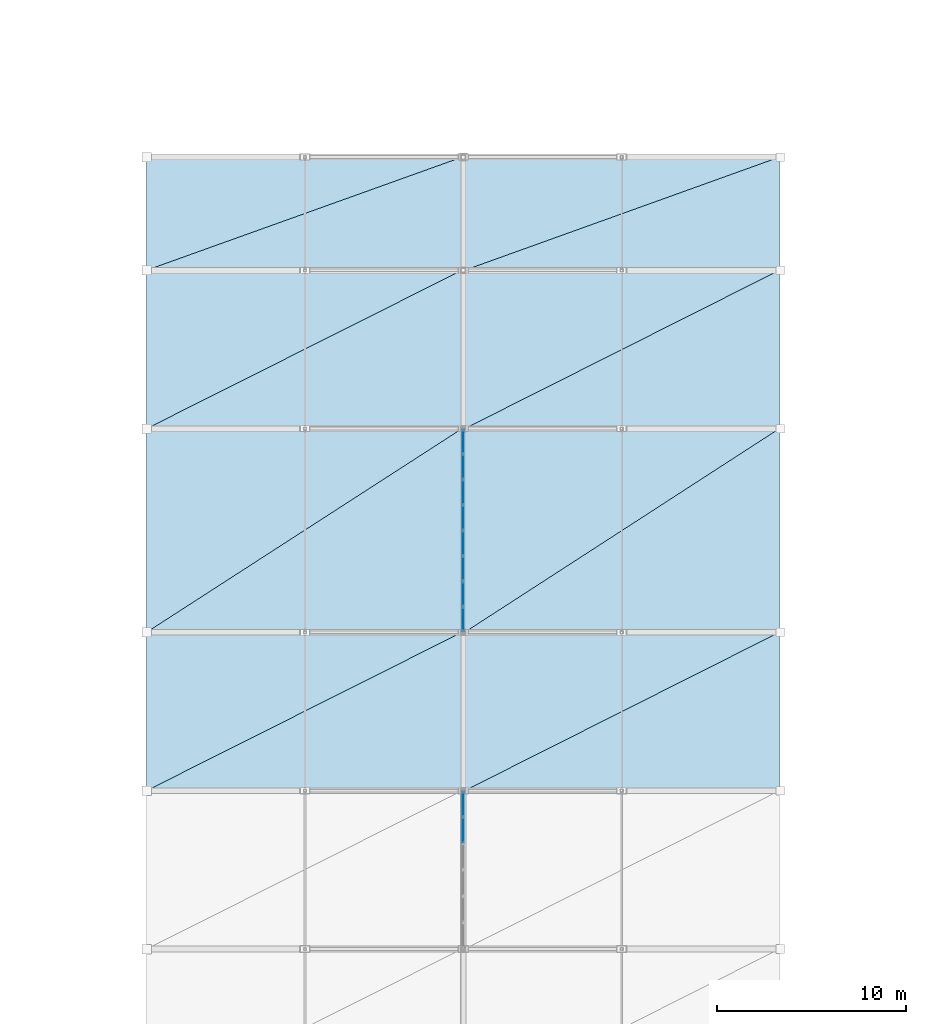
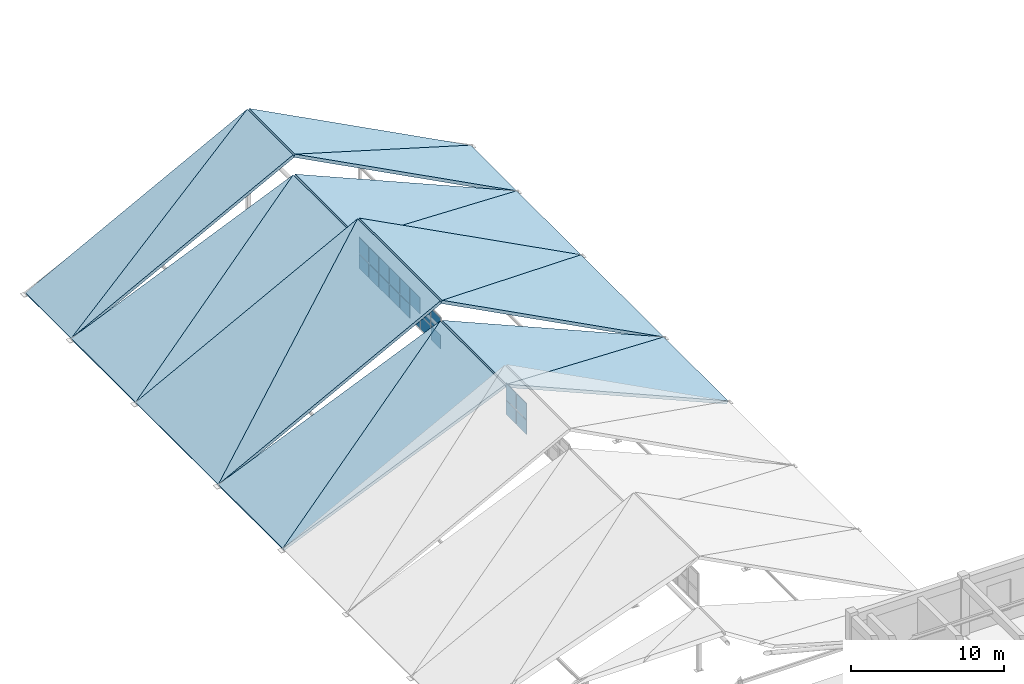
# One storey, part 57 of 76: 20 plates, 16 slabs, 2 elements without a shape of their own.
"""IFC4 building model written with IfcOpenShell, lengths in metres."""

from ifc_helpers import new_model, si_unit, direction, frame, origin, origin_2d, place, context, subcontext, project, spatial, polyline, rectangle, outline, extrude, material, layer, layer_set, type_object, element, aggregate, save


model = new_model("IFC4")

# Units and contexts
model_context = context("Model", 3, precision=1e-05, world=origin(), true_north=direction((0.0, 1.0)))
body_context = subcontext(model_context, "Body", "Model", "MODEL_VIEW")
ifc_project = project(units=[si_unit("LENGTHUNIT", "METRE"), si_unit("AREAUNIT", "SQUARE_METRE"), si_unit("VOLUMEUNIT", "CUBIC_METRE"), si_unit("PLANEANGLEUNIT", "RADIAN"), si_unit("MASSUNIT", "GRAM", prefix="KILO")], contexts=[model_context])

# Site, building, storey
site_placement = place(None, origin())
site = spatial("IfcSite", under=ifc_project, at=site_placement, CompositionType="ELEMENT")
building_placement = place(site_placement, origin())
building = spatial("IfcBuilding", under=site, at=building_placement, Name="Krzemoval Escarpment Law Courts", CompositionType="ELEMENT")
storey_placement = place(building_placement, frame((0.0, 0.0, 20.39990234375)))
storey = spatial("IfcBuildingStorey", under=building, at=storey_placement, Name="L04", CompositionType="ELEMENT", Elevation=20.39990234375)

# Curtain wall, plates
ifc_material_1 = material(Name="Aluminium 6063-T6", Category="aluminium")
ifc_layer_1 = layer(ifc_material_1, 0.199951171875)
ifc_layer_set_1 = layer_set([ifc_layer_1], Name="Aluminium 6063-T6")
curtain_wall_type = type_object("IfcCurtainWallType", Name="CW-CLER-2800", PredefinedType="USERDEFINED", material=ifc_layer_set_1)
curtain_wall_1_placement = place(storey_placement, origin())
curtain_wall_1 = element("IfcCurtainWall", 1, at=curtain_wall_1_placement, inside=storey, type_object=curtain_wall_type, Name="Clerestory Curtain Wall CW-CLER-V4-02", ObjectType="UNITISED_CURTAIN_WALL", PredefinedType="USERDEFINED")
ifc_material_2 = material(Name="Triple Glazing IGU", Category="glass")
ifc_layer_2 = layer(ifc_material_2, 0.0419921875)
ifc_layer_set_2 = layer_set([ifc_layer_2], Name="Triple Glazing IGU")
plate_type = type_object("IfcPlateType", Name="CWP-GLZ-42", PredefinedType="CURTAIN_PANEL", material=ifc_layer_set_2)
plate_1_placement = place(storey_placement, frame((25.199951171875, 63.89990234375, 4.864990234375), z_axis=(0.0, 0.0, 1.0), x_axis=(0.0, 1.0, 0.0)))
plate_1 = element("IfcPlate", 2, at=plate_1_placement, type_object=plate_type, Name="CW-CLER-V4-02 panel 5.1", PredefinedType="CURTAIN_PANEL", context=body_context, shape_type="SweptSolid", body=[
    extrude(rectangle(XDim=1.3349609375, YDim=0.0419921875, at=origin_2d()), origin(), (0.0, 0.0, 1.0), 1.1025390625),
])
plate_2_placement = place(storey_placement, frame((25.199951171875, 63.89990234375, 6.03271484375), z_axis=(0.0, 0.0, 1.0), x_axis=(0.0, 1.0, 0.0)))
plate_2 = element("IfcPlate", 3, at=plate_2_placement, type_object=plate_type, Name="CW-CLER-V4-02 panel 5.2", PredefinedType="CURTAIN_PANEL", context=body_context, shape_type="SweptSolid", body=[
    extrude(rectangle(XDim=1.3349609375, YDim=0.0419921875, at=origin_2d()), origin(), (0.0, 0.0, 1.0), 1.302490234375),
])
plate_3_placement = place(storey_placement, frame((25.199951171875, 65.28369140625, 4.864990234375), z_axis=(0.0, 0.0, 1.0), x_axis=(0.0, 1.0, 0.0)))
plate_3 = element("IfcPlate", 4, at=plate_3_placement, type_object=plate_type, Name="CW-CLER-V4-02 panel 6.1", PredefinedType="CURTAIN_PANEL", context=body_context, shape_type="SweptSolid", body=[
    extrude(rectangle(XDim=1.302490234375, YDim=0.0419921875, at=origin_2d()), origin(), (0.0, 0.0, 1.0), 1.1025390625),
])
plate_4_placement = place(storey_placement, frame((25.199951171875, 65.28369140625, 6.03271484375), z_axis=(0.0, 0.0, 1.0), x_axis=(0.0, 1.0, 0.0)))
plate_4 = element("IfcPlate", 5, at=plate_4_placement, type_object=plate_type, Name="CW-CLER-V4-02 panel 6.2", PredefinedType="CURTAIN_PANEL", context=body_context, shape_type="SweptSolid", body=[
    extrude(rectangle(XDim=1.302490234375, YDim=0.0419921875, at=origin_2d()), origin(), (0.0, 0.0, 1.0), 1.302490234375),
])
aggregate(curtain_wall_1, [plate_1, plate_2, plate_3, plate_4])

curtain_wall_2_placement = place(storey_placement, origin())
curtain_wall_2 = element("IfcCurtainWall", 6, at=curtain_wall_2_placement, inside=storey, type_object=curtain_wall_type, Name="Clerestory Curtain Wall CW-CLER-V4-03", ObjectType="UNITISED_CURTAIN_WALL", PredefinedType="USERDEFINED")
plate_5_placement = place(storey_placement, frame((25.199951171875, 75.09130859375, 4.864990234375), z_axis=(0.0, 0.0, 1.0), x_axis=(0.0, 1.0, 0.0)))
plate_5 = element("IfcPlate", 7, at=plate_5_placement, type_object=plate_type, Name="CW-CLER-V4-03 panel 1.1", PredefinedType="CURTAIN_PANEL", context=body_context, shape_type="SweptSolid", body=[
    extrude(rectangle(XDim=1.25244140625, YDim=0.0419921875, at=origin_2d()), origin(), (0.0, 0.0, 1.0), 1.1025390625),
])
plate_6_placement = place(storey_placement, frame((25.199951171875, 75.09130859375, 6.03271484375), z_axis=(0.0, 0.0, 1.0), x_axis=(0.0, 1.0, 0.0)))
plate_6 = element("IfcPlate", 8, at=plate_6_placement, type_object=plate_type, Name="CW-CLER-V4-03 panel 1.2", PredefinedType="CURTAIN_PANEL", context=body_context, shape_type="SweptSolid", body=[
    extrude(rectangle(XDim=1.25244140625, YDim=0.0419921875, at=origin_2d()), origin(), (0.0, 0.0, 1.0), 1.302490234375),
])
plate_7_placement = place(storey_placement, frame((25.199951171875, 76.425048828125, 4.864990234375), z_axis=(0.0, 0.0, 1.0), x_axis=(0.0, 1.0, 0.0)))
plate_7 = element("IfcPlate", 9, at=plate_7_placement, type_object=plate_type, Name="CW-CLER-V4-03 panel 2.1", PredefinedType="CURTAIN_PANEL", context=body_context, shape_type="SweptSolid", body=[
    extrude(rectangle(XDim=1.284912109375, YDim=0.0419921875, at=origin_2d()), origin(), (0.0, 0.0, 1.0), 1.1025390625),
])
plate_8_placement = place(storey_placement, frame((25.199951171875, 76.425048828125, 6.03271484375), z_axis=(0.0, 0.0, 1.0), x_axis=(0.0, 1.0, 0.0)))
plate_8 = element("IfcPlate", 10, at=plate_8_placement, type_object=plate_type, Name="CW-CLER-V4-03 panel 2.2", PredefinedType="CURTAIN_PANEL", context=body_context, shape_type="SweptSolid", body=[
    extrude(rectangle(XDim=1.284912109375, YDim=0.0419921875, at=origin_2d()), origin(), (0.0, 0.0, 1.0), 1.302490234375),
])
plate_9_placement = place(storey_placement, frame((25.199951171875, 77.77490234375, 4.864990234375), z_axis=(0.0, 0.0, 1.0), x_axis=(0.0, 1.0, 0.0)))
plate_9 = element("IfcPlate", 11, at=plate_9_placement, type_object=plate_type, Name="CW-CLER-V4-03 panel 3.1", PredefinedType="CURTAIN_PANEL", context=body_context, shape_type="SweptSolid", body=[
    extrude(rectangle(XDim=1.284912109375, YDim=0.0419921875, at=origin_2d()), origin(), (0.0, 0.0, 1.0), 1.1025390625),
])
plate_10_placement = place(storey_placement, frame((25.199951171875, 77.77490234375, 6.03271484375), z_axis=(0.0, 0.0, 1.0), x_axis=(0.0, 1.0, 0.0)))
plate_10 = element("IfcPlate", 12, at=plate_10_placement, type_object=plate_type, Name="CW-CLER-V4-03 panel 3.2", PredefinedType="CURTAIN_PANEL", context=body_context, shape_type="SweptSolid", body=[
    extrude(rectangle(XDim=1.284912109375, YDim=0.0419921875, at=origin_2d()), origin(), (0.0, 0.0, 1.0), 1.302490234375),
])
plate_11_placement = place(storey_placement, frame((25.199951171875, 79.125, 4.864990234375), z_axis=(0.0, 0.0, 1.0), x_axis=(0.0, 1.0, 0.0)))
plate_11 = element("IfcPlate", 13, at=plate_11_placement, type_object=plate_type, Name="CW-CLER-V4-03 panel 4.1", PredefinedType="CURTAIN_PANEL", context=body_context, shape_type="SweptSolid", body=[
    extrude(rectangle(XDim=1.284912109375, YDim=0.0419921875, at=origin_2d()), origin(), (0.0, 0.0, 1.0), 1.1025390625),
])
plate_12_placement = place(storey_placement, frame((25.199951171875, 79.125, 6.03271484375), z_axis=(0.0, 0.0, 1.0), x_axis=(0.0, 1.0, 0.0)))
plate_12 = element("IfcPlate", 14, at=plate_12_placement, type_object=plate_type, Name="CW-CLER-V4-03 panel 4.2", PredefinedType="CURTAIN_PANEL", context=body_context, shape_type="SweptSolid", body=[
    extrude(rectangle(XDim=1.284912109375, YDim=0.0419921875, at=origin_2d()), origin(), (0.0, 0.0, 1.0), 1.302490234375),
])
plate_13_placement = place(storey_placement, frame((25.199951171875, 80.47509765625, 4.864990234375), z_axis=(0.0, 0.0, 1.0), x_axis=(0.0, 1.0, 0.0)))
plate_13 = element("IfcPlate", 15, at=plate_13_placement, type_object=plate_type, Name="CW-CLER-V4-03 panel 5.1", PredefinedType="CURTAIN_PANEL", context=body_context, shape_type="SweptSolid", body=[
    extrude(rectangle(XDim=1.284912109375, YDim=0.0419921875, at=origin_2d()), origin(), (0.0, 0.0, 1.0), 1.1025390625),
])
plate_14_placement = place(storey_placement, frame((25.199951171875, 80.47509765625, 6.03271484375), z_axis=(0.0, 0.0, 1.0), x_axis=(0.0, 1.0, 0.0)))
plate_14 = element("IfcPlate", 16, at=plate_14_placement, type_object=plate_type, Name="CW-CLER-V4-03 panel 5.2", PredefinedType="CURTAIN_PANEL", context=body_context, shape_type="SweptSolid", body=[
    extrude(rectangle(XDim=1.284912109375, YDim=0.0419921875, at=origin_2d()), origin(), (0.0, 0.0, 1.0), 1.302490234375),
])
plate_15_placement = place(storey_placement, frame((25.199951171875, 81.824951171875, 4.864990234375), z_axis=(0.0, 0.0, 1.0), x_axis=(0.0, 1.0, 0.0)))
plate_15 = element("IfcPlate", 17, at=plate_15_placement, type_object=plate_type, Name="CW-CLER-V4-03 panel 6.1", PredefinedType="CURTAIN_PANEL", context=body_context, shape_type="SweptSolid", body=[
    extrude(rectangle(XDim=1.284912109375, YDim=0.0419921875, at=origin_2d()), origin(), (0.0, 0.0, 1.0), 1.1025390625),
])
plate_16_placement = place(storey_placement, frame((25.199951171875, 81.824951171875, 6.03271484375), z_axis=(0.0, 0.0, 1.0), x_axis=(0.0, 1.0, 0.0)))
plate_16 = element("IfcPlate", 18, at=plate_16_placement, type_object=plate_type, Name="CW-CLER-V4-03 panel 6.2", PredefinedType="CURTAIN_PANEL", context=body_context, shape_type="SweptSolid", body=[
    extrude(rectangle(XDim=1.284912109375, YDim=0.0419921875, at=origin_2d()), origin(), (0.0, 0.0, 1.0), 1.302490234375),
])
plate_17_placement = place(storey_placement, frame((25.199951171875, 83.175048828125, 4.864990234375), z_axis=(0.0, 0.0, 1.0), x_axis=(0.0, 1.0, 0.0)))
plate_17 = element("IfcPlate", 19, at=plate_17_placement, type_object=plate_type, Name="CW-CLER-V4-03 panel 7.1", PredefinedType="CURTAIN_PANEL", context=body_context, shape_type="SweptSolid", body=[
    extrude(rectangle(XDim=1.284912109375, YDim=0.0419921875, at=origin_2d()), origin(), (0.0, 0.0, 1.0), 1.1025390625),
])
plate_18_placement = place(storey_placement, frame((25.199951171875, 83.175048828125, 6.03271484375), z_axis=(0.0, 0.0, 1.0), x_axis=(0.0, 1.0, 0.0)))
plate_18 = element("IfcPlate", 20, at=plate_18_placement, type_object=plate_type, Name="CW-CLER-V4-03 panel 7.2", PredefinedType="CURTAIN_PANEL", context=body_context, shape_type="SweptSolid", body=[
    extrude(rectangle(XDim=1.284912109375, YDim=0.0419921875, at=origin_2d()), origin(), (0.0, 0.0, 1.0), 1.302490234375),
])
plate_19_placement = place(storey_placement, frame((25.199951171875, 84.5087890625, 4.864990234375), z_axis=(0.0, 0.0, 1.0), x_axis=(0.0, 1.0, 0.0)))
plate_19 = element("IfcPlate", 21, at=plate_19_placement, type_object=plate_type, Name="CW-CLER-V4-03 panel 8.1", PredefinedType="CURTAIN_PANEL", context=body_context, shape_type="SweptSolid", body=[
    extrude(rectangle(XDim=1.25244140625, YDim=0.0419921875, at=origin_2d()), origin(), (0.0, 0.0, 1.0), 1.1025390625),
])
plate_20_placement = place(storey_placement, frame((25.199951171875, 84.5087890625, 6.03271484375), z_axis=(0.0, 0.0, 1.0), x_axis=(0.0, 1.0, 0.0)))
plate_20 = element("IfcPlate", 22, at=plate_20_placement, type_object=plate_type, Name="CW-CLER-V4-03 panel 8.2", PredefinedType="CURTAIN_PANEL", context=body_context, shape_type="SweptSolid", body=[
    extrude(rectangle(XDim=1.25244140625, YDim=0.0419921875, at=origin_2d()), origin(), (0.0, 0.0, 1.0), 1.302490234375),
])
aggregate(curtain_wall_2, [plate_5, plate_6, plate_7, plate_8, plate_9, plate_10, plate_11, plate_12, plate_13, plate_14, plate_15, plate_16, plate_17, plate_18, plate_19, plate_20])

# Slabs
ifc_material_3 = material(Name="Concrete C50/60", Category="concrete")
ifc_layer_3 = layer(ifc_material_3, 0.239990234375)
ifc_layer_set_3 = layer_set([ifc_layer_3], Name="Concrete C50/60")
slab_type = type_object("IfcSlabType", Name="SL-ROOF-FP240", PredefinedType="ROOF", material=ifc_layer_set_3)
slab_1_placement = place(storey_placement, frame((8.39990234375, 66.0, 0.0), z_axis=(-0.393914440967, 0.0, 0.919147111837), x_axis=(0.919147111837, 0.0, 0.393914440967)))
element("IfcSlab", 23, at=slab_1_placement, inside=storey, type_object=slab_type, Name="Folded-Plate Roof Facet FPR-V4-05WA", PredefinedType="ROOF", context=body_context, shape_type="SweptSolid", body=[
    extrude(outline(polyline([(0.0, 0.0), (18.19738538407251, 0.0), (18.19738538407251, 8.399902343750002), (0.0, 0.0)])), origin(), (0.0, 0.0, -1.0), 0.239990234375),
])
slab_2_placement = place(storey_placement, frame((8.39990234375, 66.0, 0.0), z_axis=(-0.393914440967, 0.0, 0.919147111837), x_axis=(0.834528892256, 0.419103796044, 0.357650019056)))
element("IfcSlab", 24, at=slab_2_placement, inside=storey, type_object=slab_type, Name="Folded-Plate Roof Facet FPR-V4-05WB", PredefinedType="ROOF", context=body_context, shape_type="SweptSolid", body=[
    extrude(outline(polyline([(0.0, 0.0), (20.042534625166365, -8.881784197001252e-16), (3.520430958664295, 7.626593292539909), (0.0, 0.0)])), origin(), (0.0, 0.0, -1.0), 0.239990234375),
])
slab_3_placement = place(storey_placement, frame((25.27392578125, 66.0, 7.168212890625), z_axis=(0.394712545975, 0.0, 0.91880466153), x_axis=(0.91880466153, 0.0, -0.394712545975)))
element("IfcSlab", 25, at=slab_3_placement, inside=storey, type_object=slab_type, Name="Folded-Plate Roof Facet FPR-V4-05EA", PredefinedType="ROOF", context=body_context, shape_type="SweptSolid", body=[
    extrude(outline(polyline([(0.0, 0.0), (18.160590444171504, 0.0), (18.160590444171504, 8.39990234375), (0.0, 0.0)])), origin(), (0.0, 0.0, -1.0), 0.239990234375),
])
slab_4_placement = place(storey_placement, frame((25.27392578125, 66.0, 7.168212890625), z_axis=(0.394712545975, 0.0, 0.91880466153), x_axis=(0.833920946506, 0.419803413301, -0.358247050454)))
element("IfcSlab", 26, at=slab_4_placement, inside=storey, type_object=slab_type, Name="Folded-Plate Roof Facet FPR-V4-05EB", PredefinedType="ROOF", context=body_context, shape_type="SweptSolid", body=[
    extrude(outline(polyline([(0.0, 0.0), (20.009133031330222, 0.0), (3.5263076753029106, 7.623877856028161), (0.0, 0.0)])), origin(), (0.0, 0.0, -1.0), 0.239990234375),
])
slab_5_placement = place(storey_placement, frame((8.39990234375, 74.39990234375, 0.0), z_axis=(-0.464022452486, 0.0, 0.885823438157), x_axis=(0.885823438157, 0.0, 0.464022452486)))
element("IfcSlab", 27, at=slab_5_placement, inside=storey, type_object=slab_type, Name="Folded-Plate Roof Facet FPR-V4-06WA", PredefinedType="ROOF", context=body_context, shape_type="SweptSolid", body=[
    extrude(outline(polyline([(0.0, 0.0), (18.88525769993878, 0.0), (18.88525769993878, 10.800048828125), (0.0, 0.0)])), origin(), (0.0, 0.0, -1.0), 0.239990234375),
])
slab_6_placement = place(storey_placement, frame((8.39990234375, 74.39990234375, 0.0), z_axis=(-0.464022452486, 0.0, 0.885823438157), x_axis=(0.768961466041, 0.496432508877, 0.402806439714)))
element("IfcSlab", 28, at=slab_6_placement, inside=storey, type_object=slab_type, Name="Folded-Plate Roof Facet FPR-V4-06WB", PredefinedType="ROOF", context=body_context, shape_type="SweptSolid", body=[
    extrude(outline(polyline([(0.0, 0.0), (21.755321488844547, 8.881784197001252e-16), (5.361495335736322, 9.375255860762515), (0.0, 0.0)])), origin(), (0.0, 0.0, -1.0), 0.239990234375),
])
slab_7_placement = place(storey_placement, frame((25.27099609375, 74.39990234375, 8.76318359375), z_axis=(0.464895325772, 0.0, 0.885365651059), x_axis=(0.885365651059, 0.0, -0.464895325772)))
element("IfcSlab", 29, at=slab_7_placement, inside=storey, type_object=slab_type, Name="Folded-Plate Roof Facet FPR-V4-06EA", PredefinedType="ROOF", context=body_context, shape_type="SweptSolid", body=[
    extrude(outline(polyline([(0.0, 0.0), (18.849799316005797, 0.0), (18.849799316005797, 10.800048828125), (0.0, 0.0)])), origin(), (0.0, 0.0, -1.0), 0.239990234375),
])
slab_8_placement = place(storey_placement, frame((25.27099609375, 74.39990234375, 8.76318359375), z_axis=(0.464895325772, 0.0, 0.885365651059), x_axis=(0.768207687831, 0.497135719105, -0.403377026054)))
element("IfcSlab", 30, at=slab_8_placement, inside=storey, type_object=slab_type, Name="Folded-Plate Roof Facet FPR-V4-06EB", PredefinedType="ROOF", context=body_context, shape_type="SweptSolid", body=[
    extrude(outline(polyline([(0.0, 0.0), (21.72454807225174, 0.0), (5.369090040536544, 9.370908537943132), (0.0, 0.0)])), origin(), (0.0, 0.0, -1.0), 0.239990234375),
])
slab_9_placement = place(storey_placement, frame((8.39990234375, 85.199951171875, 0.0), z_axis=(-0.393914440967, 0.0, 0.919147111837), x_axis=(0.919147111837, 0.0, 0.393914440967)))
element("IfcSlab", 31, at=slab_9_placement, inside=storey, type_object=slab_type, Name="Folded-Plate Roof Facet FPR-V4-07WA", PredefinedType="ROOF", context=body_context, shape_type="SweptSolid", body=[
    extrude(outline(polyline([(0.0, 0.0), (18.19738538407251, 0.0), (18.19738538407251, 8.400146484375), (0.0, 0.0)])), origin(), (0.0, 0.0, -1.0), 0.239990234375),
])
slab_10_placement = place(storey_placement, frame((8.39990234375, 85.199951171875, 0.0), z_axis=(-0.393914440967, 0.0, 0.919147111837), x_axis=(0.834524631827, 0.419113837502, 0.357648193185)))
element("IfcSlab", 32, at=slab_10_placement, inside=storey, type_object=slab_type, Name="Folded-Plate Roof Facet FPR-V4-07WB", PredefinedType="ROOF", context=body_context, shape_type="SweptSolid", body=[
    extrude(outline(polyline([(0.0, 0.0), (20.042636946654834, 8.881784197001252e-16), (3.520617628646649, 7.626776020824272), (0.0, 0.0)])), origin(), (0.0, 0.0, -1.0), 0.239990234375),
])
slab_11_placement = place(storey_placement, frame((25.27392578125, 85.199951171875, 7.168212890625), z_axis=(0.394712545975, 0.0, 0.91880466153), x_axis=(0.91880466153, 0.0, -0.394712545975)))
element("IfcSlab", 33, at=slab_11_placement, inside=storey, type_object=slab_type, Name="Folded-Plate Roof Facet FPR-V4-07EA", PredefinedType="ROOF", context=body_context, shape_type="SweptSolid", body=[
    extrude(outline(polyline([(0.0, 0.0), (18.160590444171504, 0.0), (18.160590444171504, 8.400146484374998), (0.0, 0.0)])), origin(), (0.0, 0.0, -1.0), 0.239990234375),
])
slab_12_placement = place(storey_placement, frame((25.27392578125, 85.199951171875, 7.168212890625), z_axis=(0.394712545975, 0.0, 0.91880466153), x_axis=(0.833916674955, 0.41981346436, -0.358245215424)))
element("IfcSlab", 34, at=slab_12_placement, inside=storey, type_object=slab_type, Name="Folded-Plate Roof Facet FPR-V4-07EB", PredefinedType="ROOF", context=body_context, shape_type="SweptSolid", body=[
    extrude(outline(polyline([(0.0, 0.0), (20.00923552362486, 1.1102230246251565e-15), (3.526494596739827, 7.624060389196985), (0.0, 0.0)])), origin(), (0.0, 0.0, -1.0), 0.239990234375),
])
slab_13_placement = place(storey_placement, frame((8.39990234375, 93.60009765625, 0.0), z_axis=(-0.464022452486, 0.0, 0.885823438157), x_axis=(0.885823438157, 0.0, 0.464022452486)))
element("IfcSlab", 35, at=slab_13_placement, inside=storey, type_object=slab_type, Name="Folded-Plate Roof Facet FPR-V4-08WA", PredefinedType="ROOF", context=body_context, shape_type="SweptSolid", body=[
    extrude(outline(polyline([(0.0, 0.0), (18.88525769993878, 0.0), (18.88525769993878, 6.0), (0.0, 0.0)])), origin(), (0.0, 0.0, -1.0), 0.239990234375),
])
slab_14_placement = place(storey_placement, frame((8.39990234375, 93.60009765625, 0.0), z_axis=(-0.464022452486, 0.0, 0.885823438157), x_axis=(0.844239456613, 0.302793685032, 0.44223944216)))
element("IfcSlab", 36, at=slab_14_placement, inside=storey, type_object=slab_type, Name="Folded-Plate Roof Facet FPR-V4-08WB", PredefinedType="ROOF", context=body_context, shape_type="SweptSolid", body=[
    extrude(outline(polyline([(0.0, 0.0), (19.815472701732276, -2.220446049250313e-16), (1.8167621101894214, 5.718336771735299), (0.0, 0.0)])), origin(), (0.0, 0.0, -1.0), 0.239990234375),
])
slab_15_placement = place(storey_placement, frame((25.27099609375, 93.60009765625, 8.76318359375), z_axis=(0.464895325772, 0.0, 0.885365651059), x_axis=(0.885365651059, 0.0, -0.464895325772)))
element("IfcSlab", 37, at=slab_15_placement, inside=storey, type_object=slab_type, Name="Folded-Plate Roof Facet FPR-V4-08EA", PredefinedType="ROOF", context=body_context, shape_type="SweptSolid", body=[
    extrude(outline(polyline([(0.0, 0.0), (18.849799316005797, 0.0), (18.849799316005797, 6.0), (0.0, 0.0)])), origin(), (0.0, 0.0, -1.0), 0.239990234375),
])
slab_16_placement = place(storey_placement, frame((25.27099609375, 93.60009765625, 8.76318359375), z_axis=(0.464895325772, 0.0, 0.885365651059), x_axis=(0.843657532504, 0.303310914872, -0.442994872169)))
element("IfcSlab", 38, at=slab_16_placement, inside=storey, type_object=slab_type, Name="Folded-Plate Roof Facet FPR-V4-08EB", PredefinedType="ROOF", context=body_context, shape_type="SweptSolid", body=[
    extrude(outline(polyline([(0.0, 0.0), (19.781681785270248, -2.220446049250313e-16), (1.8198654892328807, 5.717349875694085), (0.0, 0.0)])), origin(), (0.0, 0.0, -1.0), 0.239990234375),
])

save(model, "model.ifc")
